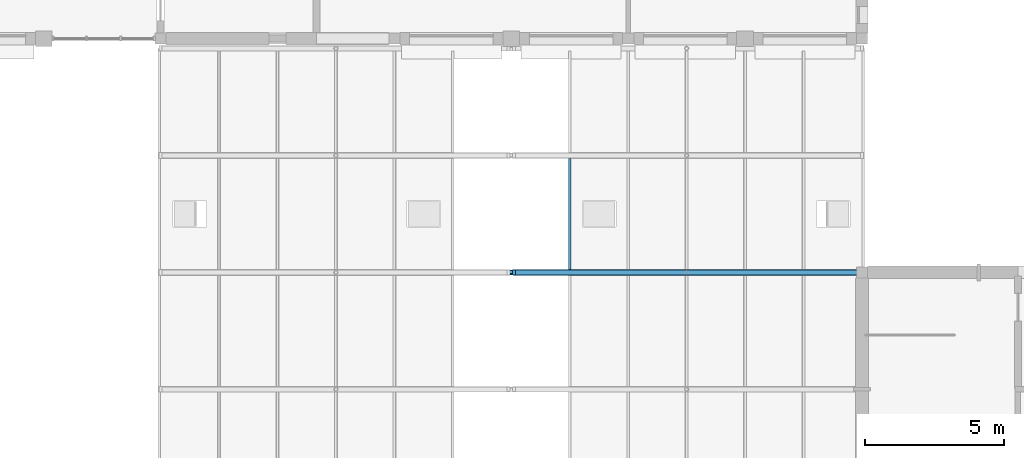
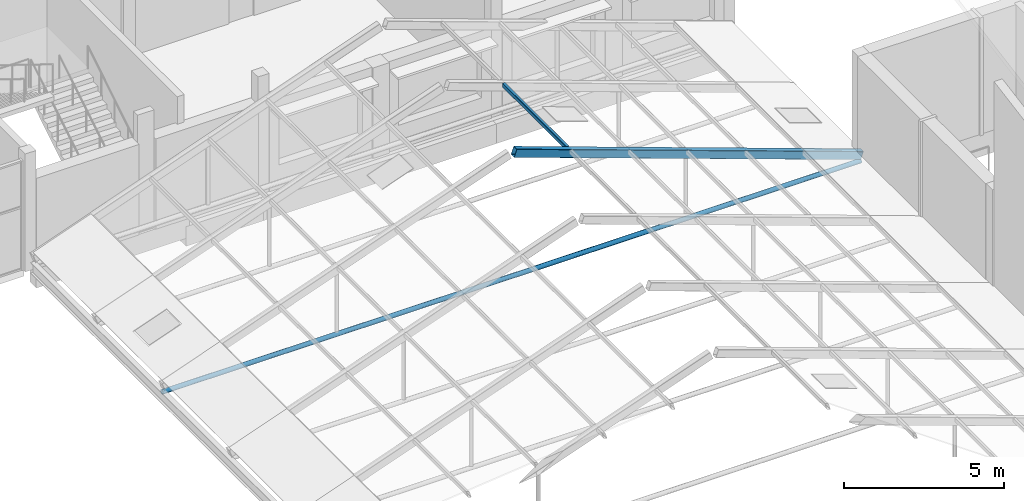
# One storey, part 68 of 116: 3 members.
"""IFC4 building model written with IfcOpenShell, lengths in metres."""

from ifc_helpers import new_model, si_unit, direction, frame, origin, origin_2d, place, context, subcontext, project, spatial, hollow_rectangle, hollow_circle, extrude, material, material_profile, profile_set, type_object, element, save


model = new_model("IFC4")

# Units and contexts
model_context = context("Model", 3, precision=1e-05, world=origin(), true_north=direction((0.0, 1.0)))
body_context = subcontext(model_context, "Body", "Model", "MODEL_VIEW")
ifc_project = project(units=[si_unit("LENGTHUNIT", "METRE"), si_unit("AREAUNIT", "SQUARE_METRE"), si_unit("VOLUMEUNIT", "CUBIC_METRE"), si_unit("PLANEANGLEUNIT", "RADIAN"), si_unit("MASSUNIT", "GRAM", prefix="KILO")], contexts=[model_context])

# Site, building, storey
site_placement = place(None, origin())
site = spatial("IfcSite", under=ifc_project, at=site_placement, CompositionType="ELEMENT")
building_placement = place(site_placement, origin())
building = spatial("IfcBuilding", under=site, at=building_placement, Name="Fescue Hill Polytechnic", CompositionType="ELEMENT")
storey_placement = place(building_placement, frame((0.0, 0.0, 13.5)))
storey = spatial("IfcBuildingStorey", under=building, at=storey_placement, Name="L03", CompositionType="ELEMENT", Elevation=13.5)

# Members
ifc_material = material(Name="Steel 350W (350 MPa)", Category="steel")
ifc_material_profile_1 = material_profile(ifc_material, hollow_rectangle(XDim=0.1015625, YDim=0.15234375, WallThickness=0.00634765625, InnerFilletRadius=0.00634765625, OuterFilletRadius=0.0126953125, at=origin_2d()), Name="Winter garden glazing purlin HSS 152x102x6.4")
ifc_profile_set_1 = profile_set([ifc_material_profile_1], Name="Steel 350W (350 MPa)")
member_type_1 = type_object("IfcMemberType", Name="Winter garden glazing purlin HSS 152x102x6.4", PredefinedType="PURLIN", material=ifc_profile_set_1)
member_1_placement = place(storey_placement, frame((107.100341796875, 100.901611328125, 4.414306640625), z_axis=(0.0, 1.0, 0.0), x_axis=(-1.0, 0.0, 0.0)))
element("IfcMember", 1, at=member_1_placement, inside=storey, type_object=member_type_1, Name="Winter garden glazing purlin E5 bay 13", PredefinedType="PURLIN", context=body_context, shape_type="SweptSolid", body=[
    extrude(hollow_rectangle(XDim=0.1015625, YDim=0.15234375, WallThickness=0.00634765625, InnerFilletRadius=0.00634765625, OuterFilletRadius=0.0126953125, at=origin_2d()), origin(), (0.0, 0.0, 1.0), 3.996826171875),
])
ifc_material_profile_2 = material_profile(ifc_material, hollow_rectangle(XDim=0.203125, YDim=0.3046875, WallThickness=0.009521484375, InnerFilletRadius=0.009521484375, OuterFilletRadius=0.01904296875, at=origin_2d()), Name="Winter garden rafter HSS 305x203x9.5")
ifc_profile_set_2 = profile_set([ifc_material_profile_2], Name="Steel 350W (350 MPa)")
member_type_2 = type_object("IfcMemberType", Name="Winter garden rafter HSS 305x203x9.5", PredefinedType="RAFTER", material=ifc_profile_set_2)
member_2_placement = place(storey_placement, frame((117.60009765625, 100.800048828125, 0.578857421875), z_axis=(-0.941740247025, 0.0, 0.336341057756), x_axis=(0.0, -1.0, 0.0)))
element("IfcMember", 2, at=member_2_placement, inside=storey, type_object=member_type_2, Name="Winter garden rafter E13", PredefinedType="RAFTER", context=body_context, shape_type="SweptSolid", body=[
    extrude(hollow_rectangle(XDim=0.203125, YDim=0.3046875, WallThickness=0.009521484375, InnerFilletRadius=0.009521484375, OuterFilletRadius=0.01904296875, at=origin_2d()), origin(), (0.0, 0.0, 1.0), 13.273193359375),
])
ifc_material_profile_3 = material_profile(ifc_material, hollow_circle(Radius=0.084228515625, WallThickness=0.009521484375, at=origin_2d()), Name="Winter garden tie CHS 168x9.5")
ifc_profile_set_3 = profile_set([ifc_material_profile_3], Name="Steel 350W (350 MPa)")
member_type_3 = type_object("IfcMemberType", Name="Winter garden tie CHS 168x9.5", PredefinedType="STRUT", material=ifc_profile_set_3)
member_3_placement = place(storey_placement, frame((92.39990234375, 100.800048828125, 0.332763671875), z_axis=(1.0, 0.0, 0.0), x_axis=(0.0, 1.0, 0.0)))
element("IfcMember", 3, at=member_3_placement, inside=storey, type_object=member_type_3, Name="Winter garden tie 13", PredefinedType="STRUT", context=body_context, shape_type="SweptSolid", body=[
    extrude(hollow_circle(Radius=0.084228515625, WallThickness=0.009521484375, at=origin_2d()), origin(), (0.0, 0.0, 1.0), 25.2001953125),
])

save(model, "model.ifc")
